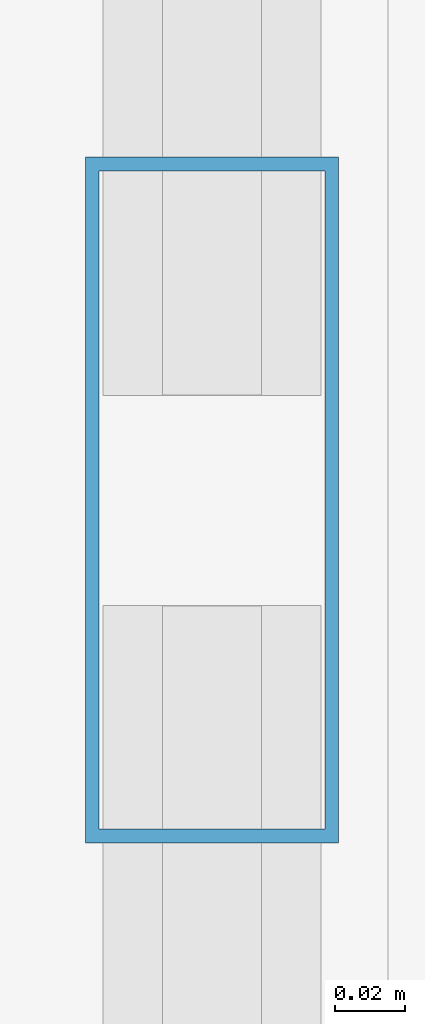
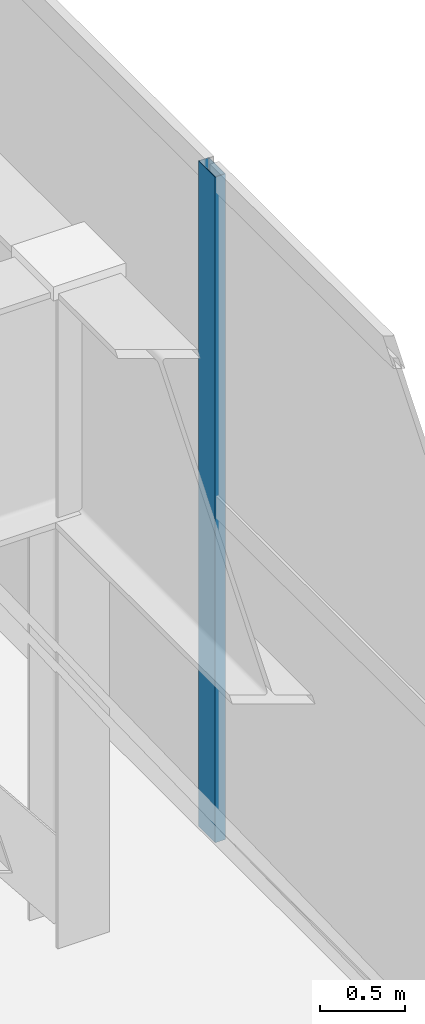
# One storey, part 10 of 22: 1 member, 1 element without a shape of its own.
"""IFC4 building model written with IfcOpenShell, lengths in metres."""

from ifc_helpers import new_model, si_unit, direction, frame, origin, origin_2d, place, context, subcontext, project, spatial, hollow_rectangle, extrude, material, layer, layer_set, material_profile, profile_set, type_object, element, aggregate, save


model = new_model("IFC4")

# Units and contexts
model_context = context("Model", 3, precision=1e-05, world=origin(), true_north=direction((0.0, 1.0)))
body_context = subcontext(model_context, "Body", "Model", "MODEL_VIEW")
ifc_project = project(units=[si_unit("LENGTHUNIT", "METRE"), si_unit("AREAUNIT", "SQUARE_METRE"), si_unit("VOLUMEUNIT", "CUBIC_METRE"), si_unit("PLANEANGLEUNIT", "RADIAN"), si_unit("MASSUNIT", "GRAM", prefix="KILO")], contexts=[model_context])

# Site, building, storey
site_placement = place(None, origin())
site = spatial("IfcSite", under=ifc_project, at=site_placement, CompositionType="ELEMENT")
building_placement = place(site_placement, origin())
building = spatial("IfcBuilding", under=site, at=building_placement, Name="Calvorn Quay Hotel", CompositionType="ELEMENT")
storey_placement = place(building_placement, frame((0.0, 0.0, 325.5)))
storey = spatial("IfcBuildingStorey", under=building, at=storey_placement, Name="L80", CompositionType="ELEMENT", Elevation=325.5)

# Curtain wall, member
ifc_material_1 = material(Name="Pale Anodised Aluminium and Laminated Glass", Category="aluminium")
ifc_layer = layer(ifc_material_1, 0.219970703125)
ifc_layer_set = layer_set([ifc_layer], Name="CW-SYS-CRN")
curtain_wall_type = type_object("IfcCurtainWallType", Name="CW-SYS-CRN", PredefinedType="NOTDEFINED", material=ifc_layer_set)
curtain_wall_placement = place(storey_placement, origin())
curtain_wall = element("IfcCurtainWall", 1, at=curtain_wall_placement, inside=storey, type_object=curtain_wall_type, Name="Crown Curtain Wall L80-C2", PredefinedType="NOTDEFINED")
ifc_material_2 = material(Name="Pale Anodised Aluminium 6063-T6", Category="aluminium")
ifc_material_profile = material_profile(ifc_material_2, hollow_rectangle(XDim=0.072021484375, YDim=0.195068359375, WallThickness=0.00390625, at=origin_2d()), Name="ALU-M195x72x4")
ifc_profile_set = profile_set([ifc_material_profile], Name="Pale Anodised Aluminium 6063-T6")
member_type = type_object("IfcMemberType", Name="CW-SYS-CRN-MUL", PredefinedType="MULLION", material=ifc_profile_set)
member_placement = place(storey_placement, frame((31.31689453125, 14.60009765625, 0.0), z_axis=(0.0, 0.0, 1.0), x_axis=(-1.0, 0.0, 0.0)))
member = element("IfcMember", 2, at=member_placement, type_object=member_type, Name="CW-L80-C2 mullion 2", PredefinedType="MULLION", context=body_context, shape_type="SweptSolid", body=[
    extrude(hollow_rectangle(XDim=0.072021484375, YDim=0.195068359375, WallThickness=0.00390625, at=origin_2d()), origin(), (0.0, 0.0, 1.0), 4.760009765625),
])
aggregate(curtain_wall, [member])

save(model, "model.ifc")
